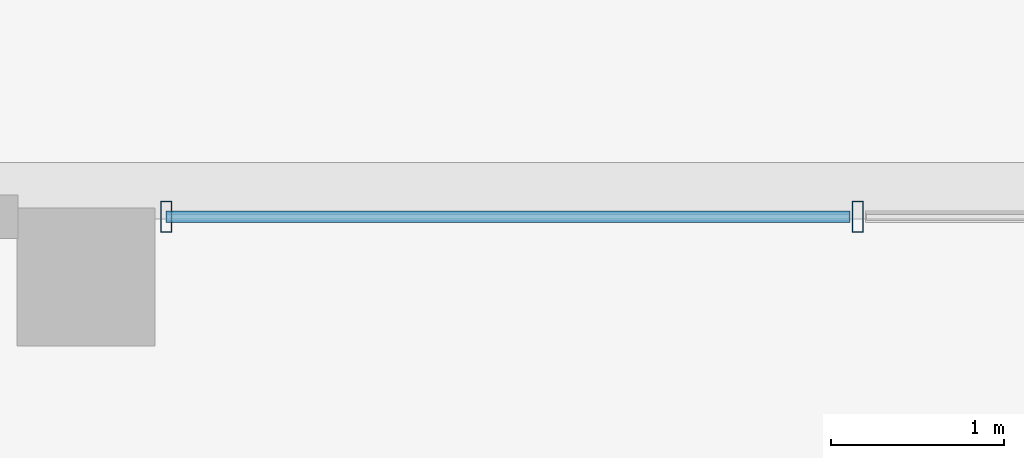
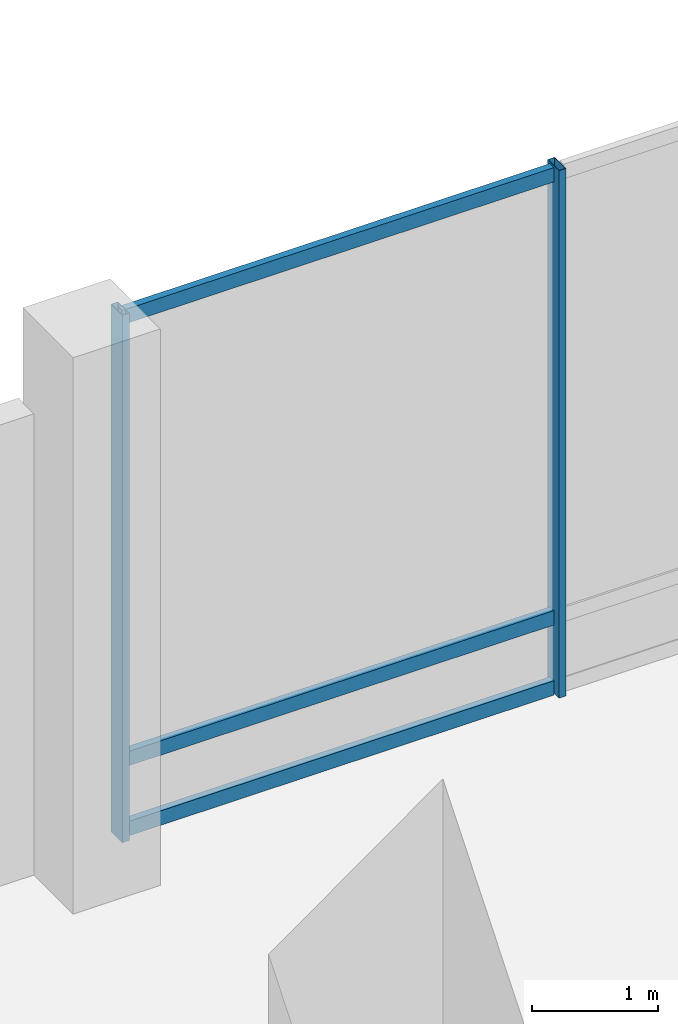
# One storey, part 11 of 32: 5 members, 1 element without a shape of its own.
"""IFC4 building model written with IfcOpenShell, lengths in metres."""

import ifcopenshell
import ifcopenshell.guid

model = None  # the IFC model being written
_history = None  # IfcOwnerHistory: only IFC2X3 demands one
_inside = {}  # id of a spatial element -> (the spatial element, [elements in it])
_under = {}  # id of a project, library or spatial element -> (it, [spatial elements below it])
_declared = {}  # id of a project -> (the project, [libraries it declares])
_typed = {}  # id of a type object -> (the type object, [elements of that type])
_made_of = {}  # id of a material, layer set ... -> (it, [elements and type objects made of it])


def new_model(schema):
    """Start an empty IFC model of exactly this schema.

    Asked for "IFC4X3", IfcOpenShell would pick the latest addendum, in which some entities
    have other attributes; the version numbers below select the first issue.
    IFC2X3 requires an IfcOwnerHistory on every rooted entity: one is made here for all.
    """
    global model, _history
    if schema == "IFC4X3":
        model = ifcopenshell.file(schema_version=(4, 3, 0, 0))
    else:
        model = ifcopenshell.file(schema=schema)
    _inside.clear()
    _under.clear()
    _declared.clear()
    _typed.clear()
    _made_of.clear()
    _history = None
    if model.schema == "IFC2X3":
        org = make("IfcOrganization", Name="unknown")
        user = make(
            "IfcPersonAndOrganization",
            ThePerson=make("IfcPerson", FamilyName="unknown"),
            TheOrganization=org,
        )
        app = make(
            "IfcApplication",
            ApplicationDeveloper=org,
            Version="unknown",
            ApplicationFullName="unknown",
            ApplicationIdentifier="unknown",
        )
        _history = make(
            "IfcOwnerHistory",
            OwningUser=user,
            OwningApplication=app,
            ChangeAction="ADDED",
            CreationDate=0,
        )
    return model


def make(cls, **values):
    """One entity of the class cls with the attributes given. An attribute that is None is left unset."""
    return model.create_entity(
        cls, **{name: value for name, value in values.items() if value is not None}
    )


def rooted(cls, **values):
    """An entity with a GlobalId (a new one), such as an element, a storey or a relation."""
    return make(cls, GlobalId=ifcopenshell.guid.new(), OwnerHistory=_history, **values)


def si_unit(unit_type, name, prefix=None):
    """IfcSIUnit, for example si_unit("LENGTHUNIT", "METRE", prefix="MILLI")."""
    return make("IfcSIUnit", UnitType=unit_type, Prefix=prefix, Name=name)


def assignment(units):
    """IfcUnitAssignment: the units of a project."""
    return None if units is None else make("IfcUnitAssignment", Units=units)


def point(xyz):
    """IfcCartesianPoint."""
    return None if xyz is None else make("IfcCartesianPoint", Coordinates=xyz)


def direction(xyz):
    """IfcDirection."""
    return None if xyz is None else make("IfcDirection", DirectionRatios=xyz)


def frame(location, z_axis=None, x_axis=None):
    """IfcAxis2Placement3D, a coordinate frame: its origin and axes. An axis left out is left unset."""
    return make(
        "IfcAxis2Placement3D",
        Location=point(location),
        Axis=direction(z_axis),
        RefDirection=direction(x_axis),
    )


def frame_2d(location, x_axis=None):
    """IfcAxis2Placement2D, a coordinate frame in the plane: its origin and x axis."""
    return make(
        "IfcAxis2Placement2D", Location=point(location), RefDirection=direction(x_axis)
    )


def origin():
    """The frame at (0, 0, 0) with its axes left unset."""
    return frame((0.0, 0.0, 0.0))


def origin_2d():
    """The frame at (0, 0) in the plane with its x axis left unset."""
    return frame_2d((0.0, 0.0))


def place(relative_to, where):
    """IfcLocalPlacement: puts the frame where relative to a parent placement (None: the world)."""
    return make(
        "IfcLocalPlacement", PlacementRelTo=relative_to, RelativePlacement=where
    )


def context(
    kind, dimensions, precision=None, world=None, true_north=None, identifier=None
):
    """IfcGeometricRepresentationContext, for example the 3D "Model" context."""
    return make(
        "IfcGeometricRepresentationContext",
        ContextIdentifier=identifier,
        ContextType=kind,
        CoordinateSpaceDimension=dimensions,
        Precision=precision,
        WorldCoordinateSystem=world,
        TrueNorth=true_north,
    )


def subcontext(parent, identifier, kind, view, scale=None):
    """IfcGeometricRepresentationSubContext, for example "Body" below "Model"."""
    return make(
        "IfcGeometricRepresentationSubContext",
        ContextIdentifier=identifier,
        ContextType=kind,
        ParentContext=parent,
        TargetScale=scale,
        TargetView=view,
    )


def project(units=None, contexts=None):
    """IfcProject with its units and contexts."""
    return rooted(
        "IfcProject",
        Name="project",
        RepresentationContexts=contexts,
        UnitsInContext=assignment(units),
    )


def spatial(cls, under=None, at=None, **own):
    """A site, building, storey or space (cls), placed at a placement, below another one or the project."""
    s = rooted(cls, ObjectPlacement=at, **own)
    if under is not None:
        _under.setdefault(under.id(), (under, []))[1].append(s)
    return s


def profile(cls, at=None, kind="AREA", **sizes):
    """A parametric profile (cls). Its sizes go by their IFC names, for example OverallWidth=200.0."""
    return make(cls, ProfileType=kind, Position=at, **sizes)


def hollow_rectangle(**sizes):
    """IfcRectangleHollowProfileDef."""
    return profile("IfcRectangleHollowProfileDef", **sizes)


def extrude(swept, where, along, depth):
    """IfcExtrudedAreaSolid: the profile swept, set in the frame where, extruded along a direction by depth."""
    return make(
        "IfcExtrudedAreaSolid",
        SweptArea=swept,
        Position=where,
        ExtrudedDirection=direction(along),
        Depth=depth,
    )


def shape(context_of_items, identifier, shape_type, items):
    """IfcShapeRepresentation: the items that make up one representation, for example the "Body"."""
    return make(
        "IfcShapeRepresentation",
        ContextOfItems=context_of_items,
        RepresentationIdentifier=identifier,
        RepresentationType=shape_type,
        Items=items,
    )


def material(Name=None, Category=None):
    """IfcMaterial."""
    return make("IfcMaterial", Name=Name, Category=Category)


def layer(
    of_material, thickness, ventilated=None, Name=None, Category=None, Priority=None
):
    """IfcMaterialLayer: one layer of a wall or slab, of a material (None: an air gap)."""
    return make(
        "IfcMaterialLayer",
        Material=of_material,
        LayerThickness=thickness,
        IsVentilated=ventilated,
        Name=Name,
        Category=Category,
        Priority=Priority,
    )


def layer_set(layers, Name=None):
    """IfcMaterialLayerSet."""
    return make("IfcMaterialLayerSet", MaterialLayers=layers, LayerSetName=Name)


def material_profile(
    of_material, cross_section, Name=None, Category=None, Priority=None
):
    """IfcMaterialProfile: a cross section and its material."""
    return make(
        "IfcMaterialProfile",
        Name=Name,
        Material=of_material,
        Profile=cross_section,
        Priority=Priority,
        Category=Category,
    )


def profile_set(profiles, Name=None, composite=None):
    """IfcMaterialProfileSet."""
    return make(
        "IfcMaterialProfileSet",
        Name=Name,
        MaterialProfiles=profiles,
        CompositeProfile=composite,
    )


def made_of(thing, what):
    """Note that an element or type object is made of a material, layer set ...; save() writes the relation."""
    if what is not None:
        _made_of.setdefault(what.id(), (what, []))[1].append(thing)
    return thing


def type_object(cls, material=None, **own):
    """A type object (cls), such as IfcWallType, which elements share."""
    return made_of(rooted(cls, **own), material)


def element(
    cls,
    number,
    at=None,
    inside=None,
    cuts=None,
    type_object=None,
    material=None,
    context=None,
    identifier="Body",
    shape_type=None,
    held_by="IfcProductDefinitionShape",
    body=None,
    shapes=None,
    **own,
):
    """One element of the class cls, such as IfcWall. Its Tag is "e" and its number.

    at: its placement. inside: the storey or other place that contains it. cuts: it is an
    opening in that element (IfcRelVoidsElement). A single representation is given by context,
    identifier, shape_type and body (its items); several are given by shapes. held_by: the class
    of the entity that holds the representations. save() writes the other relations.
    """
    e = rooted(cls, Tag="e%d" % number, ObjectPlacement=at, **own)
    if body is not None:
        shapes = [shape(context, identifier, shape_type, body)]
    if shapes is not None:
        e.Representation = make(held_by, Representations=shapes)
    if inside is not None:
        _inside.setdefault(inside.id(), (inside, []))[1].append(e)
    if cuts is not None:
        rooted(
            "IfcRelVoidsElement", RelatingBuildingElement=cuts, RelatedOpeningElement=e
        )
    if type_object is not None:
        _typed.setdefault(type_object.id(), (type_object, []))[1].append(e)
    return made_of(e, material)


def aggregate(whole, parts):
    """IfcRelAggregates: a whole, such as a stair, and the parts it consists of."""
    return rooted("IfcRelAggregates", RelatingObject=whole, RelatedObjects=parts)


def save(model, path):
    """Write the relations noted so far, then the file.

    IfcRelAggregates (storeys below a building ...), IfcRelContainedInSpatialStructure (elements
    in a storey), IfcRelDefinesByType, IfcRelAssociatesMaterial and IfcRelDeclares: one each for
    every whole, place, type object, material and project.
    """
    for whole, parts in _under.values():
        aggregate(whole, parts)
    for where, things in _inside.values():
        rooted(
            "IfcRelContainedInSpatialStructure",
            RelatedElements=things,
            RelatingStructure=where,
        )
    for kind, things in _typed.values():
        rooted("IfcRelDefinesByType", RelatedObjects=things, RelatingType=kind)
    for what, things in _made_of.values():
        rooted("IfcRelAssociatesMaterial", RelatedObjects=things, RelatingMaterial=what)
    for by, libraries in _declared.values():
        rooted("IfcRelDeclares", RelatingContext=by, RelatedDefinitions=libraries)
    model.write(path)


model = new_model("IFC4")

# Units and contexts
model_context = context("Model", 3, precision=1e-05, world=origin(), true_north=direction((0.0, 1.0)))
body_context = subcontext(model_context, "Body", "Model", "MODEL_VIEW")
ifc_project = project(units=[si_unit("LENGTHUNIT", "METRE"), si_unit("AREAUNIT", "SQUARE_METRE"), si_unit("VOLUMEUNIT", "CUBIC_METRE"), si_unit("PLANEANGLEUNIT", "RADIAN"), si_unit("MASSUNIT", "GRAM", prefix="KILO")], contexts=[model_context])

# Site, building, storey
site_placement = place(None, origin())
site = spatial("IfcSite", under=ifc_project, at=site_placement, CompositionType="ELEMENT")
building_placement = place(site_placement, origin())
building = spatial("IfcBuilding", under=site, at=building_placement, Name="Barlavira Tower and Art Museum", CompositionType="ELEMENT")
storey_placement = place(building_placement, frame((0.0, 0.0, 6.0)))
storey = spatial("IfcBuildingStorey", under=building, at=storey_placement, Name="L01", CompositionType="ELEMENT", Elevation=6.0)

# Curtain wall, members
ifc_material_1 = material(Name="Low-iron coastal laminated glass", Category="glass")
ifc_layer = layer(ifc_material_1, 0.179931640625, Name="Low-iron coastal laminated glass")
ifc_layer_set = layer_set([ifc_layer], Name="Low-iron coastal laminated glass")
curtain_wall_type = type_object("IfcCurtainWallType", Name="Pale-Metal Unitised Curtain Wall Zone 1", PredefinedType="NOTDEFINED", material=ifc_layer_set)
curtain_wall_placement = place(storey_placement, origin())
curtain_wall = element("IfcCurtainWall", 1, at=curtain_wall_placement, inside=storey, type_object=curtain_wall_type, Name="L01 Curtain Wall CW1-L01-N-B2", PredefinedType="NOTDEFINED")
ifc_material_2 = material(Name="Pale anodised aluminium", Category="aluminium")
ifc_material_profile_1 = material_profile(ifc_material_2, hollow_rectangle(XDim=0.06494140625, YDim=0.179931640625, WallThickness=0.00390625, at=origin_2d()), Name="ALU-MULL 65x180x4")
ifc_profile_set_1 = profile_set([ifc_material_profile_1], Name="Pale anodised aluminium")
member_type_1 = type_object("IfcMemberType", Name="Curtain Wall Pale-Metal Mullion 65x180", PredefinedType="MULLION", material=ifc_profile_set_1)
member_1_placement = place(storey_placement, frame((-2.026611328125, 25.35009765625, 0.0), z_axis=(0.0, 0.0, 1.0), x_axis=(-1.0, 0.0, 0.0)))
member_1 = element("IfcMember", 2, at=member_1_placement, type_object=member_type_1, Name="CW1-L01-N-B2 Mullion 2", PredefinedType="MULLION", context=body_context, shape_type="SweptSolid", body=[
    extrude(hollow_rectangle(XDim=0.06494140625, YDim=0.179931640625, WallThickness=0.00390625, at=origin_2d()), origin(), (0.0, 0.0, 1.0), 5.1201171875),
])
member_2_placement = place(storey_placement, frame((-6.034912109375, 25.35009765625, 0.0), z_axis=(0.0, 0.0, 1.0), x_axis=(-1.0, 0.0, 0.0)))
member_2 = element("IfcMember", 3, at=member_2_placement, type_object=member_type_1, Name="CW1-L01-N-B2 Mullion 3", PredefinedType="MULLION", context=body_context, shape_type="SweptSolid", body=[
    extrude(hollow_rectangle(XDim=0.06494140625, YDim=0.179931640625, WallThickness=0.00390625, at=origin_2d()), origin(), (0.0, 0.0, 1.0), 5.1201171875),
])
ifc_material_profile_2 = material_profile(ifc_material_2, hollow_rectangle(XDim=0.06494140625, YDim=0.139892578125, WallThickness=0.00390625, at=origin_2d()), Name="ALU-TRAN 65x140x4")
ifc_profile_set_2 = profile_set([ifc_material_profile_2], Name="Pale anodised aluminium")
member_type_2 = type_object("IfcMemberType", Name="Curtain Wall Pale-Metal Transom 65x140", PredefinedType="USERDEFINED", material=ifc_profile_set_2)
member_3_placement = place(storey_placement, frame((-2.07177734375, 25.35009765625, 0.070068359375), z_axis=(-1.0, 0.0, 0.0), x_axis=(0.0, -1.0, 0.0)))
member_3 = element("IfcMember", 4, at=member_3_placement, type_object=member_type_2, Name="CW1-L01-N-B2 Transom 2.1", ObjectType="TRANSOM", PredefinedType="USERDEFINED", context=body_context, shape_type="SweptSolid", body=[
    extrude(hollow_rectangle(XDim=0.06494140625, YDim=0.139892578125, WallThickness=0.00390625, at=origin_2d()), origin(), (0.0, 0.0, 1.0), 3.963134765625),
])
member_4_placement = place(storey_placement, frame((-2.07177734375, 25.35009765625, 0.75), z_axis=(-1.0, 0.0, 0.0), x_axis=(0.0, -1.0, 0.0)))
member_4 = element("IfcMember", 5, at=member_4_placement, type_object=member_type_2, Name="CW1-L01-N-B2 Transom 2.2", ObjectType="TRANSOM", PredefinedType="USERDEFINED", context=body_context, shape_type="SweptSolid", body=[
    extrude(hollow_rectangle(XDim=0.06494140625, YDim=0.139892578125, WallThickness=0.00390625, at=origin_2d()), origin(), (0.0, 0.0, 1.0), 3.963134765625),
])
member_5_placement = place(storey_placement, frame((-2.07177734375, 25.35009765625, 5.050048828125), z_axis=(-1.0, 0.0, 0.0), x_axis=(0.0, -1.0, 0.0)))
member_5 = element("IfcMember", 6, at=member_5_placement, type_object=member_type_2, Name="CW1-L01-N-B2 Transom 2.3", ObjectType="TRANSOM", PredefinedType="USERDEFINED", context=body_context, shape_type="SweptSolid", body=[
    extrude(hollow_rectangle(XDim=0.06494140625, YDim=0.139892578125, WallThickness=0.00390625, at=origin_2d()), origin(), (0.0, 0.0, 1.0), 3.963134765625),
])
aggregate(curtain_wall, [member_1, member_2, member_3, member_4, member_5])

save(model, "model.ifc")
